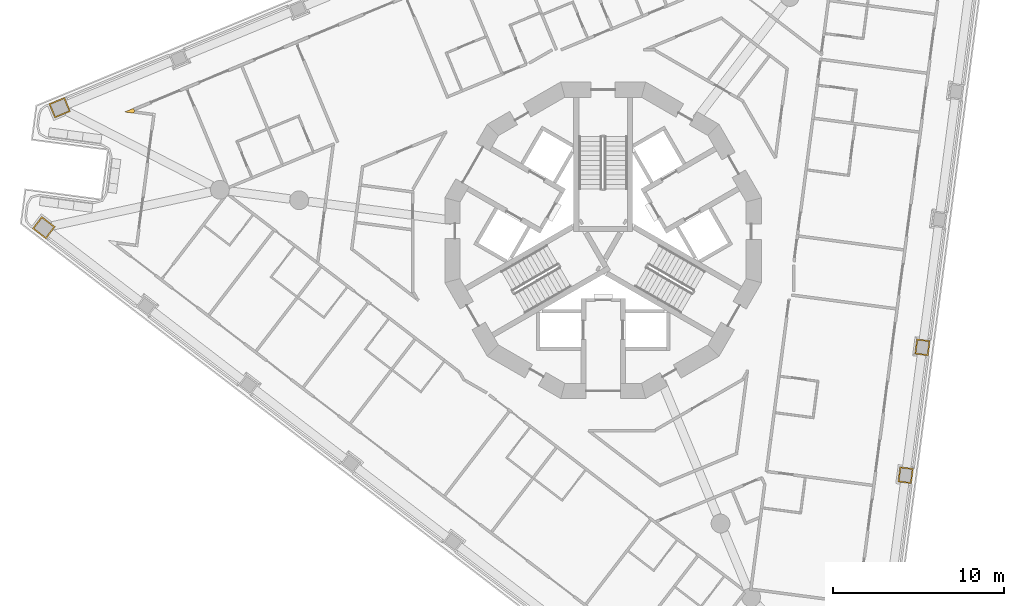
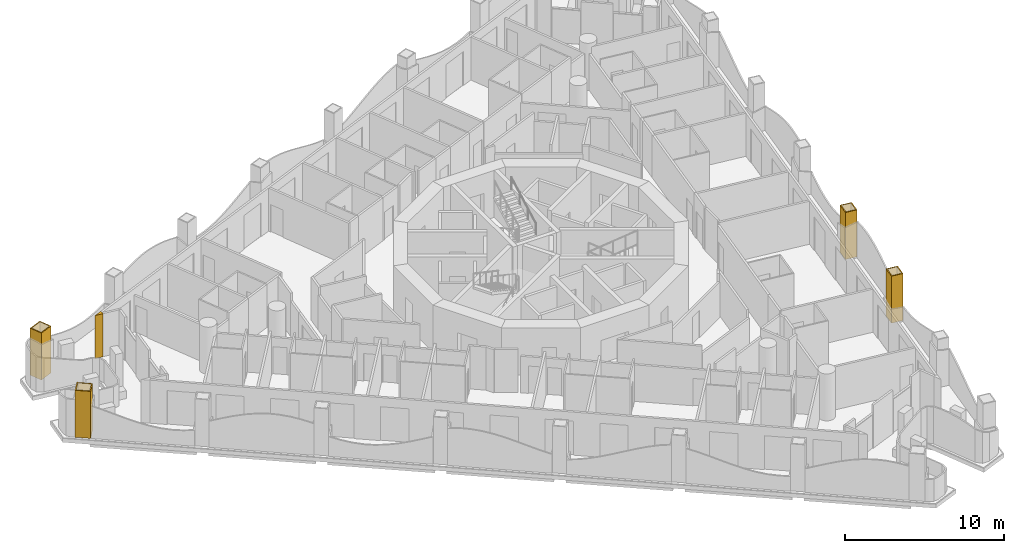
# One storey, part 14 of 17: 5 coverings.
"""IFC4 building model written with IfcOpenShell, lengths in metres."""

from ifc_helpers import new_model, si_unit, direction, frame, origin, place, context, subcontext, project, spatial, polyline, outline, extrude, material, layer, layer_set, type_object, element, save


model = new_model("IFC4")

# Units and contexts
model_context = context("Model", 3, precision=1e-05, world=origin(), true_north=direction((0.0, 1.0)))
body_context = subcontext(model_context, "Body", "Model", "MODEL_VIEW")
ifc_project = project(units=[si_unit("LENGTHUNIT", "METRE"), si_unit("AREAUNIT", "SQUARE_METRE"), si_unit("VOLUMEUNIT", "CUBIC_METRE"), si_unit("PLANEANGLEUNIT", "RADIAN"), si_unit("MASSUNIT", "GRAM", prefix="KILO")], contexts=[model_context])

# Site, building, storey
site_placement = place(None, origin())
site = spatial("IfcSite", under=ifc_project, at=site_placement, CompositionType="ELEMENT")
building_placement = place(site_placement, origin())
building = spatial("IfcBuilding", under=site, at=building_placement, Name="Trine Commons Tower", CompositionType="ELEMENT")
storey_placement = place(building_placement, frame((0.0, 0.0, 135.0)))
storey = spatial("IfcBuildingStorey", under=building, at=storey_placement, Name="L34", CompositionType="ELEMENT", Elevation=135.0)

# Coverings
ifc_material_1 = material(Name="Aluminium-framed insulated wall panel", Category="aluminium")
ifc_layer_1 = layer(ifc_material_1, 0.14990234375)
ifc_layer_set_1 = layer_set([ifc_layer_1], Name="Aluminium-framed insulated wall panel")
covering_type_1 = type_object("IfcCoveringType", Name="Glazing corner post, aluminium", PredefinedType="CLADDING", material=ifc_layer_set_1)
covering_1_placement = place(storey_placement, origin())
element("IfcCovering", 1, at=covering_1_placement, inside=storey, type_object=covering_type_1, Name="Glazing corner post 4-04", PredefinedType="CLADDING", context=body_context, shape_type="SweptSolid", body=[
    extrude(outline(polyline([(52.53369140625, 69.938720703125), (52.553466796875, 70.08740234375), (52.49609375, 70.22607421875), (51.978759765625, 70.01171875), (52.53369140625, 69.938720703125)])), origin(), (0.0, 0.0, 1.0), 3.300048828125),
])
ifc_material_2 = material(Name="Limestone, honed", Category="masonry")
ifc_layer_2 = layer(ifc_material_2, 0.074951171875)
ifc_layer_set_2 = layer_set([ifc_layer_2], Name="Limestone, honed")
covering_type_2 = type_object("IfcCoveringType", Name="Limestone column cladding 75", PredefinedType="CLADDING", material=ifc_layer_set_2)
covering_2_placement = place(storey_placement, origin())
element("IfcCovering", 2, at=covering_2_placement, inside=storey, type_object=covering_type_2, Name="Limestone pier cladding 4-08", PredefinedType="CLADDING", context=body_context, shape_type="SweptSolid", body=[
    extrude(outline(polyline([(47.1259765625, 63.898193359375), (46.578125, 63.18408203125), (47.371337890625, 62.5751953125), (47.919189453125, 63.289306640625), (47.1259765625, 63.898193359375)]), holes=[polyline([(47.139892578125, 63.79296875), (46.68310546875, 63.197998046875), (47.357666015625, 62.680419921875), (47.814208984375, 63.275390625), (47.139892578125, 63.79296875)])]), origin(), (0.0, 0.0, 1.0), 3.60009765625),
])
covering_3_placement = place(storey_placement, origin())
element("IfcCovering", 3, at=covering_3_placement, inside=storey, type_object=covering_type_2, Name="Limestone pier cladding 4-09", PredefinedType="CLADDING", context=body_context, shape_type="SweptSolid", body=[
    extrude(outline(polyline([(48.80810546875, 70.04052734375), (48.463623046875, 70.8720703125), (47.539794921875, 70.489501953125), (47.88427734375, 69.657958984375), (48.80810546875, 70.04052734375)]), holes=[polyline([(48.710205078125, 70.081298828125), (48.423095703125, 70.774169921875), (47.6376953125, 70.44873046875), (47.9248046875, 69.755859375), (48.710205078125, 70.081298828125)])]), origin(), (0.0, 0.0, 1.0), 3.60009765625),
])
covering_4_placement = place(storey_placement, origin())
element("IfcCovering", 4, at=covering_4_placement, inside=storey, type_object=covering_type_2, Name="Limestone pier cladding 4-21", PredefinedType="CLADDING", context=body_context, shape_type="SweptSolid", body=[
    extrude(outline(polyline([(99.150146484375, 56.6240234375), (98.35693359375, 56.728515625), (98.239501953125, 55.836181640625), (99.03271484375, 55.731689453125), (99.150146484375, 56.6240234375)]), holes=[polyline([(99.06591796875, 56.5595703125), (98.42138671875, 56.644287109375), (98.323486328125, 55.90087890625), (98.968017578125, 55.81591796875), (99.06591796875, 56.5595703125)])]), origin(), (0.0, 0.0, 1.0), 3.60009765625),
])
covering_5_placement = place(storey_placement, origin())
element("IfcCovering", 5, at=covering_5_placement, inside=storey, type_object=covering_type_2, Name="Limestone pier cladding 4-22", PredefinedType="CLADDING", context=body_context, shape_type="SweptSolid", body=[
    extrude(outline(polyline([(98.164306640625, 49.13671875), (97.371337890625, 49.2412109375), (97.25390625, 48.34912109375), (98.046875, 48.244384765625), (98.164306640625, 49.13671875)]), holes=[polyline([(98.080322265625, 49.072265625), (97.435791015625, 49.156982421875), (97.337890625, 48.41357421875), (97.982421875, 48.32861328125), (98.080322265625, 49.072265625)])]), origin(), (0.0, 0.0, 1.0), 3.60009765625),
])

save(model, "model.ifc")
